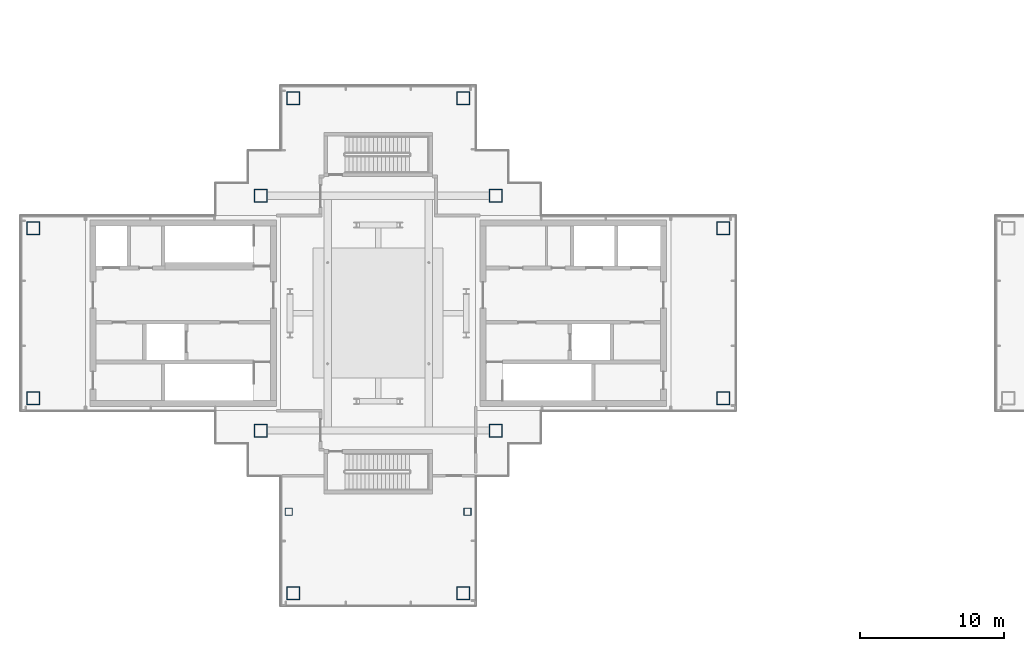
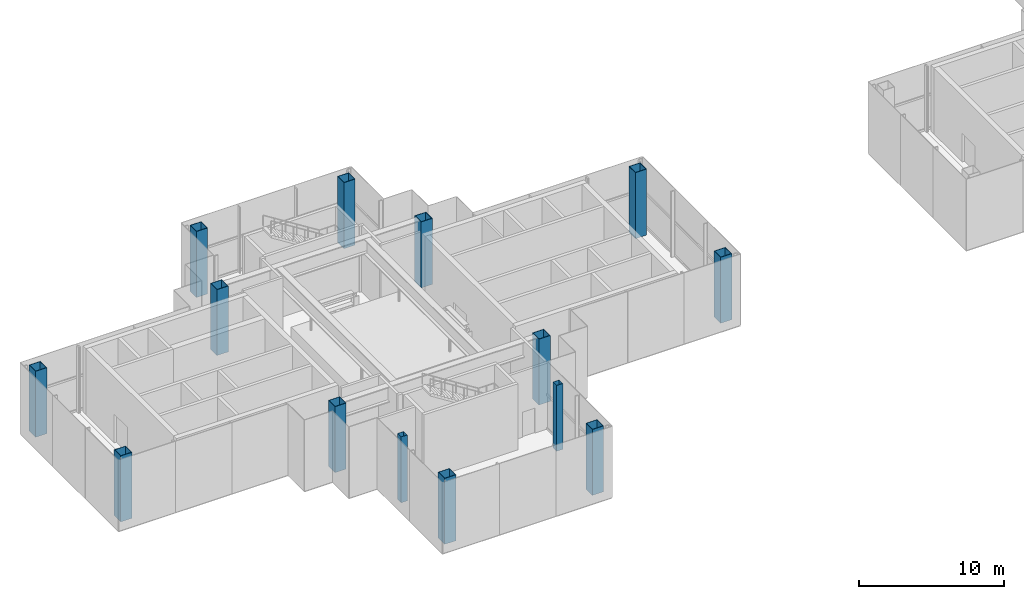
# One storey, part 1 of 17: 14 columns.
"""IFC4 building model written with IfcOpenShell, lengths in metres."""

from ifc_helpers import new_model, si_unit, direction, frame, origin, origin_2d, place, context, subcontext, project, spatial, hollow_rectangle, extrude, material, material_profile, profile_set, type_object, element, save


model = new_model("IFC4")

# Units and contexts
model_context = context("Model", 3, precision=1e-05, world=origin(), true_north=direction((0.0, 1.0)))
body_context = subcontext(model_context, "Body", "Model", "MODEL_VIEW")
ifc_project = project(units=[si_unit("LENGTHUNIT", "METRE"), si_unit("AREAUNIT", "SQUARE_METRE"), si_unit("VOLUMEUNIT", "CUBIC_METRE"), si_unit("PLANEANGLEUNIT", "RADIAN"), si_unit("MASSUNIT", "GRAM", prefix="KILO")], contexts=[model_context])

# Site, building, storey
site_placement = place(None, origin())
site = spatial("IfcSite", under=ifc_project, at=site_placement, CompositionType="ELEMENT")
building_placement = place(site_placement, origin())
building = spatial("IfcBuilding", under=site, at=building_placement, Name="Shamsa Quay Exchange Towers", CompositionType="ELEMENT")
storey_placement = place(building_placement, frame((0.0, 0.0, 278.300048828125)))
storey = spatial("IfcBuildingStorey", under=building, at=storey_placement, Name="L67", CompositionType="ELEMENT", Elevation=278.300048828125)

# Columns
ifc_material_1 = material(Name="Concrete-filled steel tube S355 / C60/75", Category="concrete")
ifc_material_profile_1 = material_profile(ifc_material_1, hollow_rectangle(XDim=0.5, YDim=0.5, WallThickness=0.01611328125, at=origin_2d()), Name="CFT 500x500x16")
ifc_profile_set_1 = profile_set([ifc_material_profile_1], Name="Concrete-filled steel tube S355 / C60/75")
column_type_1 = type_object("IfcColumnType", Name="Column CFT 500x500x16", PredefinedType="COLUMN", material=ifc_profile_set_1)
for number, where, name in (
    (1, (-39.9375, -13.75, 0.0), "Perimeter column T1-CP19"),
    (2, (-27.5625, -13.75, 0.0), "Perimeter column T1-CP22"),
):
    element("IfcColumn", number, at=place(storey_placement, frame(where)), inside=storey, type_object=column_type_1, Name=name, PredefinedType="COLUMN", context=body_context, shape_type="SweptSolid", body=[
        extrude(hollow_rectangle(XDim=0.5, YDim=0.5, WallThickness=0.01611328125, at=origin_2d()), origin(), (0.0, 0.0, 1.0), 5.550048828125),
    ])
ifc_material_2 = material(Name="Concrete-filled steel tube S355 / C80/95", Category="concrete")
ifc_material_profile_2 = material_profile(ifc_material_2, hollow_rectangle(XDim=0.89990234375, YDim=0.89990234375, WallThickness=0.035888671875, at=origin_2d()), Name="CFT 900x900x36")
ifc_profile_set_2 = profile_set([ifc_material_profile_2], Name="Concrete-filled steel tube S355 / C80/95")
column_type_2 = type_object("IfcColumnType", Name="Column CFT 900x900x36", PredefinedType="COLUMN", material=ifc_profile_set_2)
for number, where, name in (
    (3, (-25.625, 8.125, 0.0), "Mega column T1-CM01"),
    (4, (-25.625, -8.125, 0.0), "Mega column T1-CM02"),
    (5, (-41.875, 8.125, 0.0), "Mega column T1-CM03"),
    (6, (-41.875, -8.125, 0.0), "Mega column T1-CM04"),
    (7, (-9.875, -5.875, 0.0), "Mega column T1-CM05"),
    (8, (-9.875, 5.875, 0.0), "Mega column T1-CM07"),
    (9, (-57.625, -5.875, 0.0), "Mega column T1-CM09"),
    (10, (-57.625, 5.875, 0.0), "Mega column T1-CM11"),
    (11, (-39.625, 14.875, 0.0), "Mega column T1-CM13"),
    (12, (-27.875, 14.875, 0.0), "Mega column T1-CM16"),
    (13, (-39.625, -19.375, 0.0), "Mega column T1-CM20"),
    (14, (-27.875, -19.375, 0.0), "Mega column T1-CM23"),
):
    element("IfcColumn", number, at=place(storey_placement, frame(where)), inside=storey, type_object=column_type_2, Name=name, PredefinedType="COLUMN", context=body_context, shape_type="SweptSolid", body=[
        extrude(hollow_rectangle(XDim=0.89990234375, YDim=0.89990234375, WallThickness=0.035888671875, at=origin_2d()), origin(), (0.0, 0.0, 1.0), 5.550048828125),
    ])

save(model, "model.ifc")
